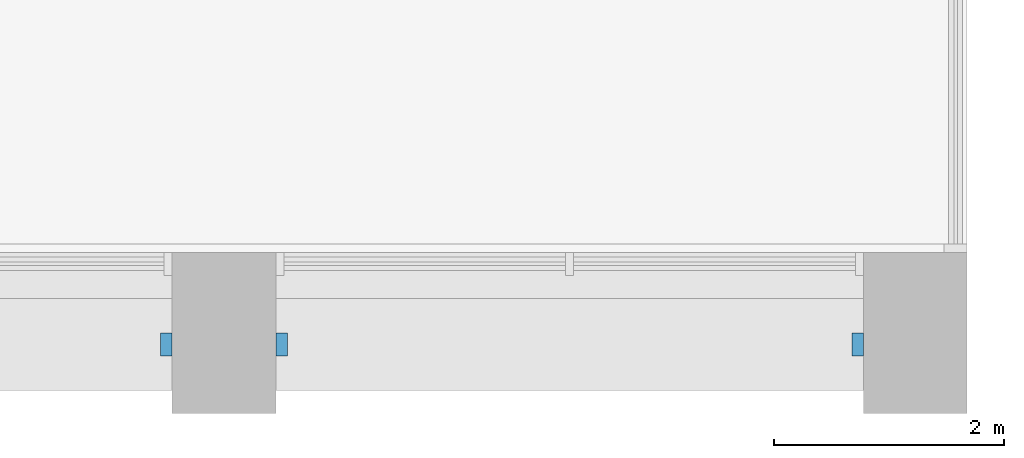
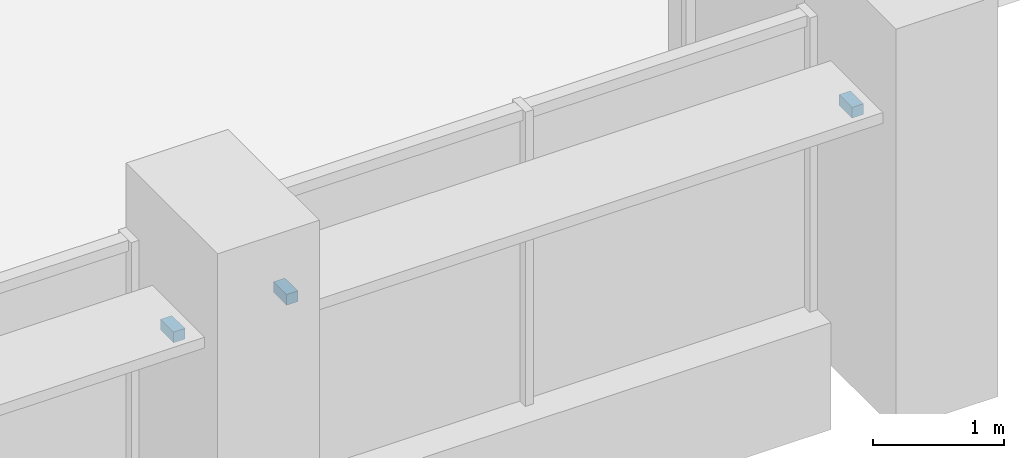
# One storey, part 14 of 15: 3 discrete accessories.
"""IFC4 building model written with IfcOpenShell, lengths in metres."""

from ifc_helpers import new_model, si_unit, direction, frame, origin, origin_2d, place, context, subcontext, project, spatial, rectangle, extrude, element, save


model = new_model("IFC4")

# Units and contexts
model_context = context("Model", 3, precision=1e-05, world=origin(), true_north=direction((0.0, 1.0)))
body_context = subcontext(model_context, "Body", "Model", "MODEL_VIEW")
ifc_project = project(units=[si_unit("LENGTHUNIT", "METRE"), si_unit("AREAUNIT", "SQUARE_METRE"), si_unit("VOLUMEUNIT", "CUBIC_METRE"), si_unit("PLANEANGLEUNIT", "RADIAN"), si_unit("MASSUNIT", "GRAM", prefix="KILO")], contexts=[model_context])

# Site, building, storey
site_placement = place(None, origin())
site = spatial("IfcSite", under=ifc_project, at=site_placement, CompositionType="ELEMENT")
building_placement = place(site_placement, origin())
building = spatial("IfcBuilding", under=site, at=building_placement, Name="Calvaro Tower", CompositionType="ELEMENT")
storey_placement = place(building_placement, frame((0.0, 0.0, 147.5)))
storey = spatial("IfcBuildingStorey", under=building, at=storey_placement, Name="L37", CompositionType="ELEMENT", Elevation=147.5)

# Discrete accessories
for number, where, z_axis, x_axis, name in (
    (1, (59.5, 2.10009765625, 2.25), (0.0, 0.0, 1.0), (1.0, 0.0, 0.0), "Brise-soleil bracket"),
    (2, (60.5, 2.10009765625, 2.25), (0.0, 0.0, 1.0), (1.0, 0.0, 0.0), "Brise-soleil bracket"),
    (3, (65.5, 2.10009765625, 2.25), (0.0, 0.0, 1.0), (1.0, 0.0, 0.0), "Brise-soleil bracket"),
):
    element("IfcDiscreteAccessory", number, at=place(storey_placement, frame(where, z_axis=z_axis, x_axis=x_axis)), inside=storey, Name=name, PredefinedType="BRACKET", context=body_context, shape_type="SweptSolid", body=[
        extrude(rectangle(XDim=0.10009765625, YDim=0.199951171875, at=origin_2d()), origin(), (0.0, 0.0, 1.0), 0.10009765625),
    ])

save(model, "model.ifc")
